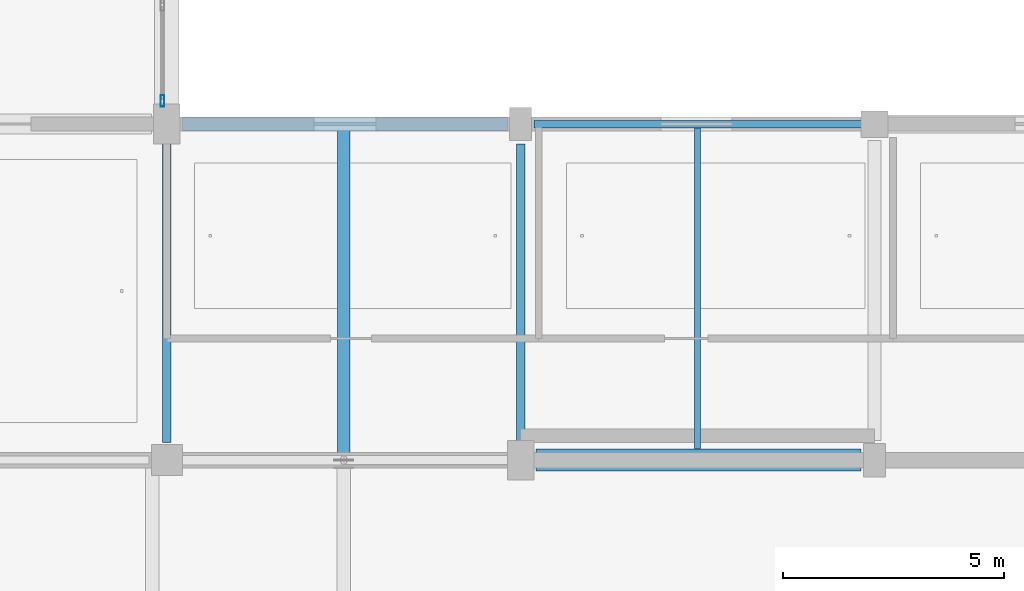
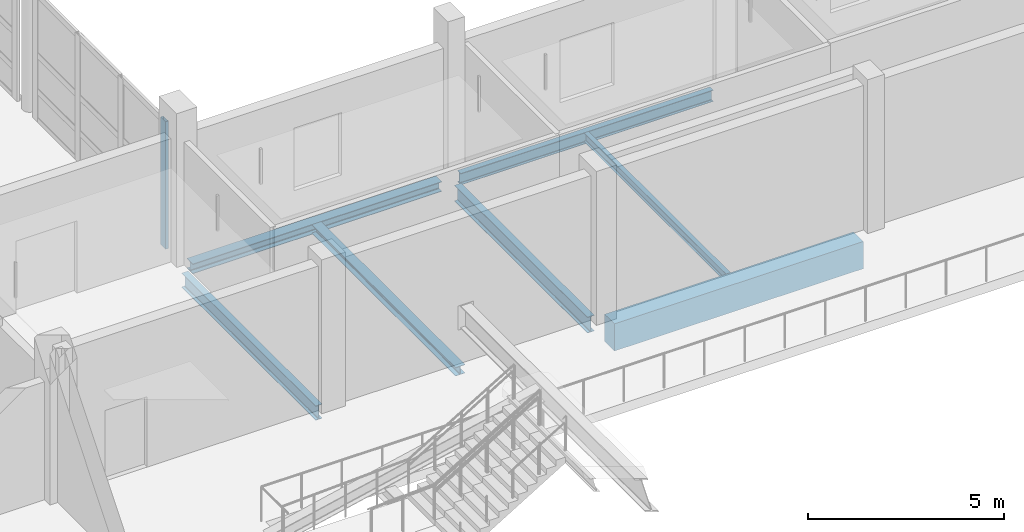
# One storey, part 20 of 147: 7 beams, 1 member, 1 element without a shape of its own.
"""IFC4 building model written with IfcOpenShell, lengths in metres."""

from ifc_helpers import new_model, si_unit, direction, frame, origin, origin_2d, place, context, subcontext, project, spatial, rectangle, hollow_rectangle, i_section, extrude, material, material_profile, profile_set, type_object, element, aggregate, save


model = new_model("IFC4")

# Units and contexts
model_context = context("Model", 3, precision=1e-05, world=origin(), true_north=direction((0.0, 1.0)))
body_context = subcontext(model_context, "Body", "Model", "MODEL_VIEW")
ifc_project = project(units=[si_unit("LENGTHUNIT", "METRE"), si_unit("AREAUNIT", "SQUARE_METRE"), si_unit("VOLUMEUNIT", "CUBIC_METRE"), si_unit("PLANEANGLEUNIT", "RADIAN"), si_unit("MASSUNIT", "GRAM", prefix="KILO")], contexts=[model_context])

# Site, building, storey
site_placement = place(None, origin())
site = spatial("IfcSite", under=ifc_project, at=site_placement, CompositionType="ELEMENT")
building_placement = place(site_placement, origin())
building = spatial("IfcBuilding", under=site, at=building_placement, Name="Khelvaren Railside Concert Hall", CompositionType="ELEMENT")
storey_placement = place(building_placement, frame((0.0, 0.0, 5.39990234375)))
storey = spatial("IfcBuildingStorey", under=building, at=storey_placement, Name="L01", CompositionType="ELEMENT", Elevation=5.39990234375)

# Beams
ifc_material_1 = material(Name="Steel S355", Category="steel")
ifc_material_profile_1 = material_profile(ifc_material_1, i_section(OverallWidth=0.199951171875, OverallDepth=0.5, WebThickness=0.01025390625, FlangeThickness=0.01611328125, FilletRadius=0.02099609375, at=origin_2d()), Name="IPE 500")
ifc_profile_set_1 = profile_set([ifc_material_profile_1], Name="Steel S355")
beam_type_1 = type_object("IfcBeamType", Name="BM62", PredefinedType="BEAM", material=ifc_profile_set_1)
beam_1_placement = place(storey_placement, frame((24.0, 38.35009765625, -0.5498046875), z_axis=(0.0, 1.0, 0.0), x_axis=(-1.0, 0.0, 0.0)))
element("IfcBeam", 1, at=beam_1_placement, inside=storey, type_object=beam_type_1, Name="V1 L01 Beam Y4.6", PredefinedType="BEAM", context=body_context, shape_type="SweptSolid", body=[
    extrude(i_section(OverallWidth=0.199951171875, OverallDepth=0.5, WebThickness=0.01025390625, FlangeThickness=0.01611328125, FilletRadius=0.02099609375, at=origin_2d()), origin(), (0.0, 0.0, 1.0), 6.7998046875),
])
ifc_material_profile_2 = material_profile(ifc_material_1, i_section(OverallWidth=0.18994140625, OverallDepth=0.449951171875, WebThickness=0.009521484375, FlangeThickness=0.0146484375, FilletRadius=0.02099609375, at=origin_2d()), Name="IPE 450")
ifc_profile_set_2 = profile_set([ifc_material_profile_2], Name="Steel S355")
beam_type_2 = type_object("IfcBeamType", Name="BM95", PredefinedType="BEAM", material=ifc_profile_set_2)
beam_2_placement = place(storey_placement, frame((16.0, 38.39990234375, -0.52490234375), z_axis=(0.0, 1.0, 0.0), x_axis=(-1.0, 0.0, 0.0)))
element("IfcBeam", 2, at=beam_2_placement, inside=storey, type_object=beam_type_2, Name="V1 L01 Beam Y3.6", PredefinedType="BEAM", context=body_context, shape_type="SweptSolid", body=[
    extrude(i_section(OverallWidth=0.18994140625, OverallDepth=0.449951171875, WebThickness=0.009521484375, FlangeThickness=0.0146484375, FilletRadius=0.02099609375, at=origin_2d()), origin(), (0.0, 0.0, 1.0), 6.85009765625),
])

# Curtain wall, member
ifc_material_2 = material(Name="Acoustic laminated crystal facade glass", Category="glass")
curtain_wall_type = type_object("IfcCurtainWallType", Name="CW78", PredefinedType="USERDEFINED", material=ifc_material_2)
curtain_wall_placement = place(storey_placement, origin())
curtain_wall = element("IfcCurtainWall", 3, at=curtain_wall_placement, inside=storey, type_object=curtain_wall_type, Name="Unitised Curtain Wall CW-LB3-L01-E1", ObjectType="UNITISED CURTAIN WALL", PredefinedType="USERDEFINED")
ifc_material_3 = material(Name="Anodised architectural aluminium 6063-T6", Category="aluminium")
ifc_material_profile_3 = material_profile(ifc_material_3, hollow_rectangle(XDim=0.0849609375, YDim=0.260009765625, WallThickness=0.0048828125, InnerFilletRadius=0.0029296875, OuterFilletRadius=0.0048828125, at=origin_2d()), Name="CWM 85x260x5")
ifc_profile_set_3 = profile_set([ifc_material_profile_3], Name="Anodised architectural aluminium 6063-T6")
member_type = type_object("IfcMemberType", Name="CWM40", PredefinedType="MULLION", material=ifc_profile_set_3)
member_placement = place(storey_placement, frame((15.89990234375, 46.12255859375, 0.0), z_axis=(0.0, 0.0, 1.0), x_axis=(1.0, 0.0, 0.0)))
member = element("IfcMember", 4, at=member_placement, type_object=member_type, Name="CW78 mullion 4", PredefinedType="MULLION", context=body_context, shape_type="SweptSolid", body=[
    extrude(hollow_rectangle(XDim=0.0849609375, YDim=0.260009765625, WallThickness=0.0048828125, InnerFilletRadius=0.0029296875, OuterFilletRadius=0.0048828125, at=origin_2d()), origin(), (0.0, 0.0, 1.0), 3.97998046875),
])
aggregate(curtain_wall, [member])

# Beams
ifc_material_4 = material(Name="Concrete C40/50", Category="concrete")
ifc_material_profile_4 = material_profile(ifc_material_4, rectangle(XDim=0.5, YDim=0.85009765625, at=origin_2d()), Name="RCB 500x850")
ifc_profile_set_4 = profile_set([ifc_material_profile_4], Name="Concrete C40/50")
beam_type_3 = type_object("IfcBeamType", Name="GR96", PredefinedType="T_BEAM", material=ifc_profile_set_4)
beam_3_placement = place(storey_placement, frame((24.35009765625, 38.0, -0.724853515625), z_axis=(1.0, 0.0, 0.0), x_axis=(0.0, 1.0, 0.0)))
element("IfcBeam", 5, at=beam_3_placement, inside=storey, type_object=beam_type_3, Name="V1 L01 T_Beam X6.4", PredefinedType="T_BEAM", context=body_context, shape_type="SweptSolid", body=[
    extrude(rectangle(XDim=0.5, YDim=0.85009765625, at=origin_2d()), origin(), (0.0, 0.0, 1.0), 7.349853515625),
])
ifc_material_profile_5 = material_profile(ifc_material_1, i_section(OverallWidth=0.280029296875, OverallDepth=0.27001953125, WebThickness=0.008056640625, FlangeThickness=0.012939453125, FilletRadius=0.02392578125, at=origin_2d()), Name="HEA 280")
ifc_profile_set_5 = profile_set([ifc_material_profile_5], Name="Steel S355")
beam_type_4 = type_object("IfcBeamType", Name="JS46", PredefinedType="JOIST", material=ifc_profile_set_5)
beam_4_placement = place(storey_placement, frame((20.0, 38.094970703125, -0.434814453125), z_axis=(0.0, 1.0, 0.0), x_axis=(-1.0, 0.0, 0.0)))
element("IfcBeam", 6, at=beam_4_placement, inside=storey, type_object=beam_type_4, Name="V1 L01 Secondary Joist 3.6", PredefinedType="JOIST", context=body_context, shape_type="SweptSolid", body=[
    extrude(i_section(OverallWidth=0.280029296875, OverallDepth=0.27001953125, WebThickness=0.008056640625, FlangeThickness=0.012939453125, FilletRadius=0.02392578125, at=origin_2d()), origin(), (0.0, 0.0, 1.0), 7.35498046875),
])
ifc_material_profile_6 = material_profile(ifc_material_1, i_section(OverallWidth=0.135009765625, OverallDepth=0.27001953125, WebThickness=0.006591796875, FlangeThickness=0.01025390625, FilletRadius=0.014892578125, at=origin_2d()), Name="IPE 270")
ifc_profile_set_6 = profile_set([ifc_material_profile_6], Name="Steel S355")
beam_type_5 = type_object("IfcBeamType", Name="JS78", PredefinedType="JOIST", material=ifc_profile_set_6)
beam_5_placement = place(storey_placement, frame((28.0, 38.25, -0.434814453125), z_axis=(0.0, 1.0, 0.0), x_axis=(-1.0, 0.0, 0.0)))
element("IfcBeam", 7, at=beam_5_placement, inside=storey, type_object=beam_type_5, Name="V1 L01 Secondary Joist 4.6", PredefinedType="JOIST", context=body_context, shape_type="SweptSolid", body=[
    extrude(i_section(OverallWidth=0.135009765625, OverallDepth=0.27001953125, WebThickness=0.006591796875, FlangeThickness=0.01025390625, FilletRadius=0.014892578125, at=origin_2d()), origin(), (0.0, 0.0, 1.0), 7.264892578125),
])
ifc_material_profile_7 = material_profile(ifc_material_1, i_section(OverallWidth=0.300048828125, OverallDepth=0.31005859375, WebThickness=0.009033203125, FlangeThickness=0.015380859375, FilletRadius=0.027099609375, at=origin_2d()), Name="HEA 320")
ifc_profile_set_7 = profile_set([ifc_material_profile_7], Name="Steel S355")
beam_type_6 = type_object("IfcBeamType", Name="SP66", PredefinedType="SPANDREL", material=ifc_profile_set_7)
beam_6_placement = place(storey_placement, frame((16.35009765625, 45.60009765625, -0.454833984375), z_axis=(1.0, 0.0, 0.0), x_axis=(0.0, 1.0, 0.0)))
element("IfcBeam", 8, at=beam_6_placement, inside=storey, type_object=beam_type_6, Name="V1 L01 Spandrel X7.3", PredefinedType="SPANDREL", context=body_context, shape_type="SweptSolid", body=[
    extrude(i_section(OverallWidth=0.300048828125, OverallDepth=0.31005859375, WebThickness=0.009033203125, FlangeThickness=0.015380859375, FilletRadius=0.027099609375, at=origin_2d()), origin(), (0.0, 0.0, 1.0), 7.349853515625),
])
ifc_material_profile_8 = material_profile(ifc_material_1, i_section(OverallWidth=0.169921875, OverallDepth=0.360107421875, WebThickness=0.008056640625, FlangeThickness=0.0126953125, FilletRadius=0.01806640625, at=origin_2d()), Name="IPE 360")
ifc_profile_set_8 = profile_set([ifc_material_profile_8], Name="Steel S355")
beam_type_7 = type_object("IfcBeamType", Name="SP74", PredefinedType="SPANDREL", material=ifc_profile_set_8)
beam_7_placement = place(storey_placement, frame((24.300048828125, 45.60009765625, -0.47998046875), z_axis=(1.0, 0.0, 0.0), x_axis=(0.0, 1.0, 0.0)))
element("IfcBeam", 9, at=beam_7_placement, inside=storey, type_object=beam_type_7, Name="V1 L01 Spandrel X7.4", PredefinedType="SPANDREL", context=body_context, shape_type="SweptSolid", body=[
    extrude(i_section(OverallWidth=0.169921875, OverallDepth=0.360107421875, WebThickness=0.008056640625, FlangeThickness=0.0126953125, FilletRadius=0.01806640625, at=origin_2d()), origin(), (0.0, 0.0, 1.0), 7.449951171875),
])

save(model, "model.ifc")
